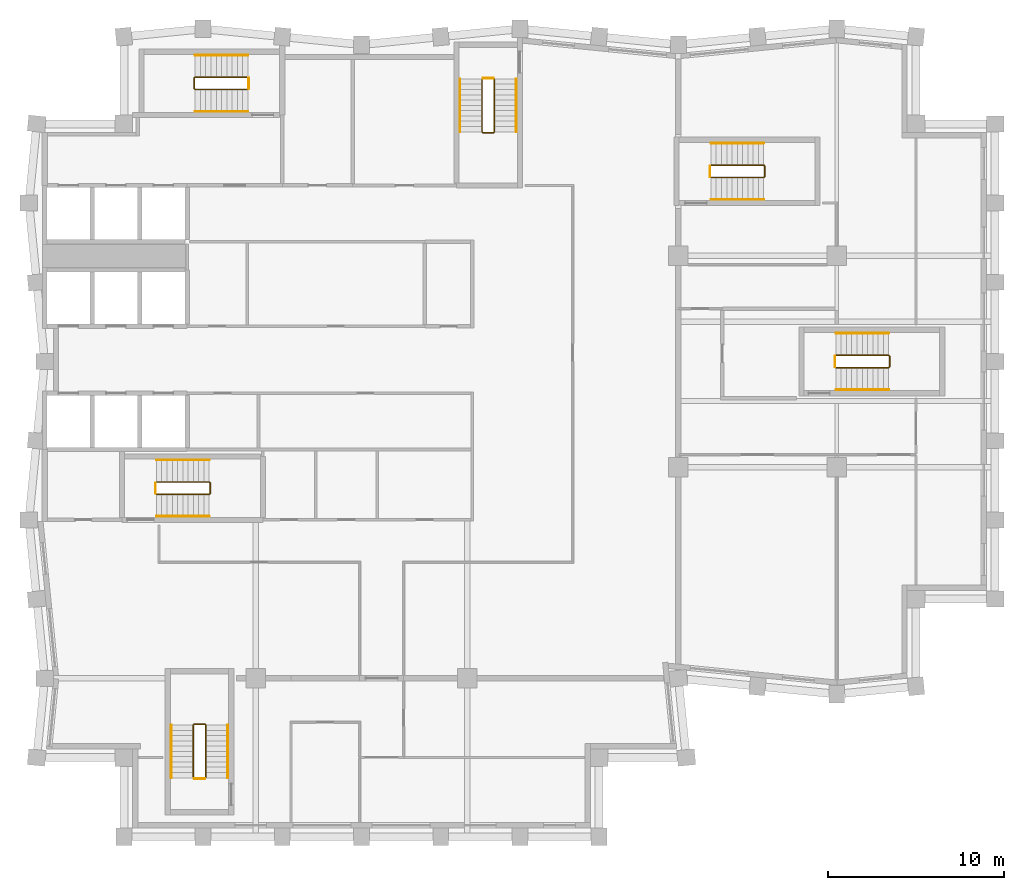
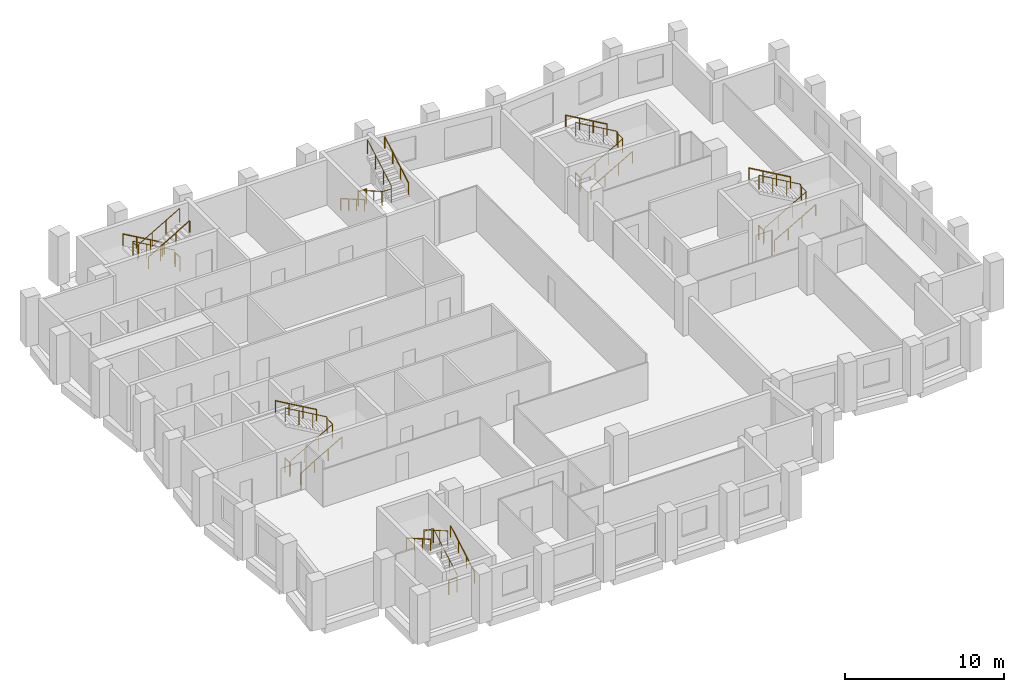
# One storey, part 7 of 7: 24 railings.
"""IFC4 building model written with IfcOpenShell, lengths in metres."""

from ifc_helpers import new_model, si_unit, direction, frame, origin, origin_2d, place, context, subcontext, project, spatial, circle, extrude, material, type_object, element, save


model = new_model("IFC4")

# Units and contexts
model_context = context("Model", 3, precision=1e-05, world=origin(), true_north=direction((0.0, 1.0)))
body_context = subcontext(model_context, "Body", "Model", "MODEL_VIEW")
ifc_project = project(units=[si_unit("LENGTHUNIT", "METRE"), si_unit("AREAUNIT", "SQUARE_METRE"), si_unit("VOLUMEUNIT", "CUBIC_METRE"), si_unit("PLANEANGLEUNIT", "RADIAN"), si_unit("MASSUNIT", "GRAM", prefix="KILO")], contexts=[model_context])

# Site, building, storey
site_placement = place(None, origin())
site = spatial("IfcSite", under=ifc_project, at=site_placement, CompositionType="ELEMENT")
building_placement = place(site_placement, origin())
building = spatial("IfcBuilding", under=site, at=building_placement, Name="Brondeck Convention Tower", CompositionType="ELEMENT")
storey_placement = place(building_placement, frame((0.0, 0.0, 206.39990234375)))
storey = spatial("IfcBuildingStorey", under=building, at=storey_placement, Name="L50", CompositionType="ELEMENT", Elevation=206.39990234375)

# Railings
ifc_material = material(Name="Steel S355", Category="steel")
railing_type_1 = type_object("IfcRailingType", Name="Stair guard 1100", PredefinedType="GUARDRAIL", material=ifc_material)
railing_1_placement = place(storey_placement, frame((6.35009765625, 37.449951171875, 0.1728515625)))
element("IfcRailing", 1, at=railing_1_placement, inside=storey, type_object=railing_type_1, Name="L50 ST-1 stair guard 1", PredefinedType="GUARDRAIL", context=body_context, shape_type="SweptSolid", body=[
    extrude(circle(Radius=0.02392578125, at=origin_2d()), frame((0.0, 0.0, 1.076171875), z_axis=(0.866619684472, 0.0, 0.498969260062), x_axis=(0.0, 1.0, 0.0)), (0.0, 0.0, 1.0), 3.461669921875),
    extrude(circle(Radius=0.02392578125, at=origin_2d()), frame((3.0, 0.0, 2.80322265625), z_axis=(0.705375805398, 0.708833529934, 0.0), x_axis=(-0.708833529934, 0.705375805398, 0.0)), (0.0, 0.0, 1.0), 0.070556640625),
    extrude(circle(Radius=0.02392578125, at=origin_2d()), frame((3.0498046875, 0.050048828125, 2.80322265625), z_axis=(0.0, 1.0, 0.0), x_axis=(-1.0, 0.0, 0.0)), (0.0, 0.0, 1.0), 0.60009765625),
    extrude(circle(Radius=0.02392578125, at=origin_2d()), frame((3.0498046875, 0.650146484375, 2.80322265625), z_axis=(-0.26715648603, 0.26715648603, 0.925880566782), x_axis=(-0.707106781187, -0.707106781187, 0.0)), (0.0, 0.0, 1.0), 0.1865234375),
    extrude(circle(Radius=0.02392578125, at=origin_2d()), frame((3.0, 0.699951171875, 2.97607421875), z_axis=(-0.866619684472, 0.0, 0.498969260062), x_axis=(0.0, -1.0, 0.0)), (0.0, 0.0, 1.0), 3.461669921875),
    extrude(circle(Radius=0.02099609375, at=origin_2d()), origin(), (0.0, 0.0, 1.0), 1.052001953125),
    extrude(circle(Radius=0.02099609375, at=origin_2d()), frame((1.0, 0.0, 0.57568359375)), (0.0, 0.0, 1.0), 1.052001953125),
    extrude(circle(Radius=0.02099609375, at=origin_2d()), frame((2.0, 0.0, 1.151611328125)), (0.0, 0.0, 1.0), 1.052001953125),
    extrude(circle(Radius=0.02099609375, at=origin_2d()), frame((3.0, 0.0, 1.727294921875)), (0.0, 0.0, 1.0), 1.052001953125),
    extrude(circle(Radius=0.02099609375, at=origin_2d()), frame((3.0498046875, 0.050048828125, 1.727294921875)), (0.0, 0.0, 1.0), 1.052001953125),
    extrude(circle(Radius=0.02099609375, at=origin_2d()), frame((3.0498046875, 0.650146484375, 1.727294921875)), (0.0, 0.0, 1.0), 1.052001953125),
    extrude(circle(Radius=0.02099609375, at=origin_2d()), frame((3.0, 0.699951171875, 1.89990234375)), (0.0, 0.0, 1.0), 1.052001953125),
    extrude(circle(Radius=0.02099609375, at=origin_2d()), frame((2.0, 0.699951171875, 2.4755859375)), (0.0, 0.0, 1.0), 1.052001953125),
    extrude(circle(Radius=0.02099609375, at=origin_2d()), frame((1.0, 0.699951171875, 3.051513671875)), (0.0, 0.0, 1.0), 1.052001953125),
    extrude(circle(Radius=0.02099609375, at=origin_2d()), frame((0.0, 0.699951171875, 3.627197265625)), (0.0, 0.0, 1.0), 1.052001953125),
])
railing_2_placement = place(storey_placement, frame((6.300048828125, 37.5, 0.0)))
element("IfcRailing", 2, at=railing_2_placement, inside=storey, type_object=railing_type_1, Name="L50 ST-1 stair guard 2", PredefinedType="GUARDRAIL", context=body_context, shape_type="SweptSolid", body=[
    extrude(circle(Radius=0.02392578125, at=origin_2d()), frame((0.0, 0.0, 1.076171875), z_axis=(0.0, 1.0, 0.0), x_axis=(-1.0, 0.0, 0.0)), (0.0, 0.0, 1.0), 0.60009765625),
    extrude(circle(Radius=0.02099609375, at=origin_2d()), origin(), (0.0, 0.0, 1.0), 1.052001953125),
    extrude(circle(Radius=0.02099609375, at=origin_2d()), frame((0.0, 0.60009765625, 0.0)), (0.0, 0.0, 1.0), 1.052001953125),
])
railing_3_placement = place(storey_placement, frame((24.85009765625, 61.050048828125, 0.1728515625)))
element("IfcRailing", 3, at=railing_3_placement, inside=storey, type_object=railing_type_1, Name="L50 ST-2 stair guard 1", PredefinedType="GUARDRAIL", context=body_context, shape_type="SweptSolid", body=[
    extrude(circle(Radius=0.02392578125, at=origin_2d()), frame((0.0, 0.0, 1.076171875), z_axis=(0.0, -0.866619684472, 0.498969260062), x_axis=(1.0, 0.0, 0.0)), (0.0, 0.0, 1.0), 3.461669921875),
    extrude(circle(Radius=0.02392578125, at=origin_2d()), frame((0.0, -3.0, 2.80322265625), z_axis=(0.705375805398, -0.708833529934, 0.0), x_axis=(0.708833529934, 0.705375805398, 0.0)), (0.0, 0.0, 1.0), 0.070556640625),
    extrude(circle(Radius=0.02392578125, at=origin_2d()), frame((0.0498046875, -3.050048828125, 2.80322265625), z_axis=(1.0, 0.0, 0.0), x_axis=(0.0, 1.0, 0.0)), (0.0, 0.0, 1.0), 0.60009765625),
    extrude(circle(Radius=0.02392578125, at=origin_2d()), frame((0.64990234375, -3.050048828125, 2.80322265625), z_axis=(0.268277960024, 0.268277960024, 0.925231793839), x_axis=(-0.707106781187, 0.707106781187, 0.0)), (0.0, 0.0, 1.0), 0.1865234375),
    extrude(circle(Radius=0.02392578125, at=origin_2d()), frame((0.699951171875, -3.0, 2.97607421875), z_axis=(0.0, 0.866619684472, 0.498969260062), x_axis=(-1.0, 0.0, 0.0)), (0.0, 0.0, 1.0), 3.461669921875),
    extrude(circle(Radius=0.02099609375, at=origin_2d()), origin(), (0.0, 0.0, 1.0), 1.052001953125),
    extrude(circle(Radius=0.02099609375, at=origin_2d()), frame((0.0, -1.0, 0.57568359375)), (0.0, 0.0, 1.0), 1.052001953125),
    extrude(circle(Radius=0.02099609375, at=origin_2d()), frame((0.0, -2.0, 1.151611328125)), (0.0, 0.0, 1.0), 1.052001953125),
    extrude(circle(Radius=0.02099609375, at=origin_2d()), frame((0.0, -3.0, 1.727294921875)), (0.0, 0.0, 1.0), 1.052001953125),
    extrude(circle(Radius=0.02099609375, at=origin_2d()), frame((0.0498046875, -3.050048828125, 1.727294921875)), (0.0, 0.0, 1.0), 1.052001953125),
    extrude(circle(Radius=0.02099609375, at=origin_2d()), frame((0.64990234375, -3.050048828125, 1.727294921875)), (0.0, 0.0, 1.0), 1.052001953125),
    extrude(circle(Radius=0.02099609375, at=origin_2d()), frame((0.699951171875, -3.0, 1.89990234375)), (0.0, 0.0, 1.0), 1.052001953125),
    extrude(circle(Radius=0.02099609375, at=origin_2d()), frame((0.699951171875, -2.0, 2.4755859375)), (0.0, 0.0, 1.0), 1.052001953125),
    extrude(circle(Radius=0.02099609375, at=origin_2d()), frame((0.699951171875, -1.0, 3.051513671875)), (0.0, 0.0, 1.0), 1.052001953125),
    extrude(circle(Radius=0.02099609375, at=origin_2d()), frame((0.699951171875, 0.0, 3.627197265625)), (0.0, 0.0, 1.0), 1.052001953125),
])
railing_4_placement = place(storey_placement, frame((24.89990234375, 61.10009765625, 0.0)))
element("IfcRailing", 4, at=railing_4_placement, inside=storey, type_object=railing_type_1, Name="L50 ST-2 stair guard 2", PredefinedType="GUARDRAIL", context=body_context, shape_type="SweptSolid", body=[
    extrude(circle(Radius=0.02392578125, at=origin_2d()), frame((0.0, 0.0, 1.076171875), z_axis=(1.0, 0.0, 0.0), x_axis=(0.0, 1.0, 0.0)), (0.0, 0.0, 1.0), 0.60009765625),
    extrude(circle(Radius=0.02099609375, at=origin_2d()), origin(), (0.0, 0.0, 1.0), 1.052001953125),
    extrude(circle(Radius=0.02099609375, at=origin_2d()), frame((0.60009765625, 0.0, 0.0)), (0.0, 0.0, 1.0), 1.052001953125),
])
railing_5_placement = place(storey_placement, frame((11.550048828125, 61.14990234375, 0.1728515625)))
element("IfcRailing", 5, at=railing_5_placement, inside=storey, type_object=railing_type_1, Name="L50 ST-3 stair guard 1", PredefinedType="GUARDRAIL", context=body_context, shape_type="SweptSolid", body=[
    extrude(circle(Radius=0.02392578125, at=origin_2d()), frame((0.0, 0.0, 1.076171875), z_axis=(-0.866619684472, 0.0, 0.498969260062), x_axis=(0.0, -1.0, 0.0)), (0.0, 0.0, 1.0), 3.461669921875),
    extrude(circle(Radius=0.02392578125, at=origin_2d()), frame((-3.0, 0.0, 2.80322265625), z_axis=(-0.708833529934, -0.705375805398, 0.0), x_axis=(0.705375805398, -0.708833529934, 0.0)), (0.0, 0.0, 1.0), 0.070556640625),
    extrude(circle(Radius=0.02392578125, at=origin_2d()), frame((-3.050048828125, -0.0498046875, 2.80322265625), z_axis=(0.0, -1.0, 0.0), x_axis=(1.0, 0.0, 0.0)), (0.0, 0.0, 1.0), 0.60009765625),
    extrude(circle(Radius=0.02392578125, at=origin_2d()), frame((-3.050048828125, -0.64990234375, 2.80322265625), z_axis=(0.268277960024, -0.268277960024, 0.925231793839), x_axis=(0.707106781187, 0.707106781187, 0.0)), (0.0, 0.0, 1.0), 0.1865234375),
    extrude(circle(Radius=0.02392578125, at=origin_2d()), frame((-3.0, -0.699951171875, 2.97607421875), z_axis=(0.866619684472, 0.0, 0.498969260062), x_axis=(0.0, 1.0, 0.0)), (0.0, 0.0, 1.0), 3.461669921875),
    extrude(circle(Radius=0.02099609375, at=origin_2d()), origin(), (0.0, 0.0, 1.0), 1.052001953125),
    extrude(circle(Radius=0.02099609375, at=origin_2d()), frame((-1.0, 0.0, 0.57568359375)), (0.0, 0.0, 1.0), 1.052001953125),
    extrude(circle(Radius=0.02099609375, at=origin_2d()), frame((-2.0, 0.0, 1.151611328125)), (0.0, 0.0, 1.0), 1.052001953125),
    extrude(circle(Radius=0.02099609375, at=origin_2d()), frame((-3.0, 0.0, 1.727294921875)), (0.0, 0.0, 1.0), 1.052001953125),
    extrude(circle(Radius=0.02099609375, at=origin_2d()), frame((-3.050048828125, -0.0498046875, 1.727294921875)), (0.0, 0.0, 1.0), 1.052001953125),
    extrude(circle(Radius=0.02099609375, at=origin_2d()), frame((-3.050048828125, -0.64990234375, 1.727294921875)), (0.0, 0.0, 1.0), 1.052001953125),
    extrude(circle(Radius=0.02099609375, at=origin_2d()), frame((-3.0, -0.699951171875, 1.89990234375)), (0.0, 0.0, 1.0), 1.052001953125),
    extrude(circle(Radius=0.02099609375, at=origin_2d()), frame((-2.0, -0.699951171875, 2.4755859375)), (0.0, 0.0, 1.0), 1.052001953125),
    extrude(circle(Radius=0.02099609375, at=origin_2d()), frame((-1.0, -0.699951171875, 3.051513671875)), (0.0, 0.0, 1.0), 1.052001953125),
    extrude(circle(Radius=0.02099609375, at=origin_2d()), frame((0.0, -0.699951171875, 3.627197265625)), (0.0, 0.0, 1.0), 1.052001953125),
])
railing_6_placement = place(storey_placement, frame((11.60009765625, 61.10009765625, 0.0)))
element("IfcRailing", 6, at=railing_6_placement, inside=storey, type_object=railing_type_1, Name="L50 ST-3 stair guard 2", PredefinedType="GUARDRAIL", context=body_context, shape_type="SweptSolid", body=[
    extrude(circle(Radius=0.02392578125, at=origin_2d()), frame((0.0, 0.0, 1.076171875), z_axis=(0.0, -1.0, 0.0), x_axis=(1.0, 0.0, 0.0)), (0.0, 0.0, 1.0), 0.60009765625),
    extrude(circle(Radius=0.02099609375, at=origin_2d()), origin(), (0.0, 0.0, 1.0), 1.052001953125),
    extrude(circle(Radius=0.02099609375, at=origin_2d()), frame((0.0, -0.60009765625, 0.0)), (0.0, 0.0, 1.0), 1.052001953125),
])
railing_7_placement = place(storey_placement, frame((37.85009765625, 55.449951171875, 0.1728515625)))
element("IfcRailing", 7, at=railing_7_placement, inside=storey, type_object=railing_type_1, Name="L50 ST-AE stair guard 1", PredefinedType="GUARDRAIL", context=body_context, shape_type="SweptSolid", body=[
    extrude(circle(Radius=0.02392578125, at=origin_2d()), frame((0.0, 0.0, 1.076171875), z_axis=(0.866619684472, 0.0, 0.498969260062), x_axis=(0.0, 1.0, 0.0)), (0.0, 0.0, 1.0), 3.461669921875),
    extrude(circle(Radius=0.02392578125, at=origin_2d()), frame((3.0, 0.0, 2.80322265625), z_axis=(0.705375805398, 0.708833529934, 0.0), x_axis=(-0.708833529934, 0.705375805398, 0.0)), (0.0, 0.0, 1.0), 0.070556640625),
    extrude(circle(Radius=0.02392578125, at=origin_2d()), frame((3.0498046875, 0.050048828125, 2.80322265625), z_axis=(0.0, 1.0, 0.0), x_axis=(-1.0, 0.0, 0.0)), (0.0, 0.0, 1.0), 0.60009765625),
    extrude(circle(Radius=0.02392578125, at=origin_2d()), frame((3.0498046875, 0.650146484375, 2.80322265625), z_axis=(-0.26715648603, 0.26715648603, 0.925880566782), x_axis=(-0.707106781187, -0.707106781187, 0.0)), (0.0, 0.0, 1.0), 0.1865234375),
    extrude(circle(Radius=0.02392578125, at=origin_2d()), frame((3.0, 0.699951171875, 2.97607421875), z_axis=(-0.866619684472, 0.0, 0.498969260062), x_axis=(0.0, -1.0, 0.0)), (0.0, 0.0, 1.0), 3.461669921875),
    extrude(circle(Radius=0.02099609375, at=origin_2d()), origin(), (0.0, 0.0, 1.0), 1.052001953125),
    extrude(circle(Radius=0.02099609375, at=origin_2d()), frame((1.0, 0.0, 0.57568359375)), (0.0, 0.0, 1.0), 1.052001953125),
    extrude(circle(Radius=0.02099609375, at=origin_2d()), frame((2.0, 0.0, 1.151611328125)), (0.0, 0.0, 1.0), 1.052001953125),
    extrude(circle(Radius=0.02099609375, at=origin_2d()), frame((3.0, 0.0, 1.727294921875)), (0.0, 0.0, 1.0), 1.052001953125),
    extrude(circle(Radius=0.02099609375, at=origin_2d()), frame((3.0498046875, 0.050048828125, 1.727294921875)), (0.0, 0.0, 1.0), 1.052001953125),
    extrude(circle(Radius=0.02099609375, at=origin_2d()), frame((3.0498046875, 0.650146484375, 1.727294921875)), (0.0, 0.0, 1.0), 1.052001953125),
    extrude(circle(Radius=0.02099609375, at=origin_2d()), frame((3.0, 0.699951171875, 1.89990234375)), (0.0, 0.0, 1.0), 1.052001953125),
    extrude(circle(Radius=0.02099609375, at=origin_2d()), frame((2.0, 0.699951171875, 2.4755859375)), (0.0, 0.0, 1.0), 1.052001953125),
    extrude(circle(Radius=0.02099609375, at=origin_2d()), frame((1.0, 0.699951171875, 3.051513671875)), (0.0, 0.0, 1.0), 1.052001953125),
    extrude(circle(Radius=0.02099609375, at=origin_2d()), frame((0.0, 0.699951171875, 3.627197265625)), (0.0, 0.0, 1.0), 1.052001953125),
])
railing_8_placement = place(storey_placement, frame((37.800048828125, 55.5, 0.0)))
element("IfcRailing", 8, at=railing_8_placement, inside=storey, type_object=railing_type_1, Name="L50 ST-AE stair guard 2", PredefinedType="GUARDRAIL", context=body_context, shape_type="SweptSolid", body=[
    extrude(circle(Radius=0.02392578125, at=origin_2d()), frame((0.0, 0.0, 1.076171875), z_axis=(0.0, 1.0, 0.0), x_axis=(-1.0, 0.0, 0.0)), (0.0, 0.0, 1.0), 0.60009765625),
    extrude(circle(Radius=0.02099609375, at=origin_2d()), origin(), (0.0, 0.0, 1.0), 1.052001953125),
    extrude(circle(Radius=0.02099609375, at=origin_2d()), frame((0.0, 0.60009765625, 0.0)), (0.0, 0.0, 1.0), 1.052001953125),
])
railing_9_placement = place(storey_placement, frame((9.14990234375, 21.35009765625, 0.1728515625)))
element("IfcRailing", 9, at=railing_9_placement, inside=storey, type_object=railing_type_1, Name="L50 ST-BE stair guard 1", PredefinedType="GUARDRAIL", context=body_context, shape_type="SweptSolid", body=[
    extrude(circle(Radius=0.02392578125, at=origin_2d()), frame((0.0, 0.0, 1.076171875), z_axis=(0.0, 0.866619684472, 0.498969260062), x_axis=(-1.0, 0.0, 0.0)), (0.0, 0.0, 1.0), 3.461669921875),
    extrude(circle(Radius=0.02392578125, at=origin_2d()), frame((0.0, 3.0, 2.80322265625), z_axis=(-0.707106781187, 0.707106781187, 0.0), x_axis=(-0.707106781187, -0.707106781187, 0.0)), (0.0, 0.0, 1.0), 0.0703125),
    extrude(circle(Radius=0.02392578125, at=origin_2d()), frame((-0.0498046875, 3.0498046875, 2.80322265625), z_axis=(-1.0, 0.0, 0.0), x_axis=(0.0, -1.0, 0.0)), (0.0, 0.0, 1.0), 0.60009765625),
    extrude(circle(Radius=0.02392578125, at=origin_2d()), frame((-0.64990234375, 3.0498046875, 2.80322265625), z_axis=(-0.268371968888, -0.267062837333, 0.925556009775), x_axis=(0.705375805398, -0.708833529934, 0.0)), (0.0, 0.0, 1.0), 0.1865234375),
    extrude(circle(Radius=0.02392578125, at=origin_2d()), frame((-0.699951171875, 3.0, 2.97607421875), z_axis=(0.0, -0.866619684472, 0.498969260062), x_axis=(1.0, 0.0, 0.0)), (0.0, 0.0, 1.0), 3.461669921875),
    extrude(circle(Radius=0.02099609375, at=origin_2d()), origin(), (0.0, 0.0, 1.0), 1.052001953125),
    extrude(circle(Radius=0.02099609375, at=origin_2d()), frame((0.0, 1.0, 0.57568359375)), (0.0, 0.0, 1.0), 1.052001953125),
    extrude(circle(Radius=0.02099609375, at=origin_2d()), frame((0.0, 2.0, 1.151611328125)), (0.0, 0.0, 1.0), 1.052001953125),
    extrude(circle(Radius=0.02099609375, at=origin_2d()), frame((0.0, 3.0, 1.727294921875)), (0.0, 0.0, 1.0), 1.052001953125),
    extrude(circle(Radius=0.02099609375, at=origin_2d()), frame((-0.0498046875, 3.0498046875, 1.727294921875)), (0.0, 0.0, 1.0), 1.052001953125),
    extrude(circle(Radius=0.02099609375, at=origin_2d()), frame((-0.64990234375, 3.0498046875, 1.727294921875)), (0.0, 0.0, 1.0), 1.052001953125),
    extrude(circle(Radius=0.02099609375, at=origin_2d()), frame((-0.699951171875, 3.0, 1.89990234375)), (0.0, 0.0, 1.0), 1.052001953125),
    extrude(circle(Radius=0.02099609375, at=origin_2d()), frame((-0.699951171875, 2.0, 2.4755859375)), (0.0, 0.0, 1.0), 1.052001953125),
    extrude(circle(Radius=0.02099609375, at=origin_2d()), frame((-0.699951171875, 1.0, 3.051513671875)), (0.0, 0.0, 1.0), 1.052001953125),
    extrude(circle(Radius=0.02099609375, at=origin_2d()), frame((-0.699951171875, 0.0, 3.627197265625)), (0.0, 0.0, 1.0), 1.052001953125),
])
railing_10_placement = place(storey_placement, frame((9.10009765625, 21.300048828125, 0.0)))
element("IfcRailing", 10, at=railing_10_placement, inside=storey, type_object=railing_type_1, Name="L50 ST-BE stair guard 2", PredefinedType="GUARDRAIL", context=body_context, shape_type="SweptSolid", body=[
    extrude(circle(Radius=0.02392578125, at=origin_2d()), frame((0.0, 0.0, 1.076171875), z_axis=(-1.0, 0.0, 0.0), x_axis=(0.0, -1.0, 0.0)), (0.0, 0.0, 1.0), 0.60009765625),
    extrude(circle(Radius=0.02099609375, at=origin_2d()), origin(), (0.0, 0.0, 1.0), 1.052001953125),
    extrude(circle(Radius=0.02099609375, at=origin_2d()), frame((-0.60009765625, 0.0, 0.0)), (0.0, 0.0, 1.0), 1.052001953125),
])
railing_11_placement = place(storey_placement, frame((44.949951171875, 44.64990234375, 0.1728515625)))
element("IfcRailing", 11, at=railing_11_placement, inside=storey, type_object=railing_type_1, Name="L50 ST-AF stair guard 1", PredefinedType="GUARDRAIL", context=body_context, shape_type="SweptSolid", body=[
    extrude(circle(Radius=0.02392578125, at=origin_2d()), frame((0.0, 0.0, 1.076171875), z_axis=(0.866619684472, 0.0, 0.498969260062), x_axis=(0.0, 1.0, 0.0)), (0.0, 0.0, 1.0), 3.461669921875),
    extrude(circle(Radius=0.02392578125, at=origin_2d()), frame((3.0, 0.0, 2.80322265625), z_axis=(0.707106781187, 0.707106781187, 0.0), x_axis=(-0.707106781187, 0.707106781187, 0.0)), (0.0, 0.0, 1.0), 0.07080078125),
    extrude(circle(Radius=0.02392578125, at=origin_2d()), frame((3.050048828125, 0.050048828125, 2.80322265625), z_axis=(0.0, 1.0, 0.0), x_axis=(-1.0, 0.0, 0.0)), (0.0, 0.0, 1.0), 0.60009765625),
    extrude(circle(Radius=0.02392578125, at=origin_2d()), frame((3.050048828125, 0.650146484375, 2.80322265625), z_axis=(-0.268277960024, 0.268277960024, 0.925231793839), x_axis=(-0.707106781187, -0.707106781187, 0.0)), (0.0, 0.0, 1.0), 0.1865234375),
    extrude(circle(Radius=0.02392578125, at=origin_2d()), frame((3.0, 0.7001953125, 2.97607421875), z_axis=(-0.866619684472, 0.0, 0.498969260062), x_axis=(0.0, -1.0, 0.0)), (0.0, 0.0, 1.0), 3.461669921875),
    extrude(circle(Radius=0.02099609375, at=origin_2d()), origin(), (0.0, 0.0, 1.0), 1.052001953125),
    extrude(circle(Radius=0.02099609375, at=origin_2d()), frame((1.0, 0.0, 0.57568359375)), (0.0, 0.0, 1.0), 1.052001953125),
    extrude(circle(Radius=0.02099609375, at=origin_2d()), frame((2.0, 0.0, 1.151611328125)), (0.0, 0.0, 1.0), 1.052001953125),
    extrude(circle(Radius=0.02099609375, at=origin_2d()), frame((3.0, 0.0, 1.727294921875)), (0.0, 0.0, 1.0), 1.052001953125),
    extrude(circle(Radius=0.02099609375, at=origin_2d()), frame((3.050048828125, 0.050048828125, 1.727294921875)), (0.0, 0.0, 1.0), 1.052001953125),
    extrude(circle(Radius=0.02099609375, at=origin_2d()), frame((3.050048828125, 0.650146484375, 1.727294921875)), (0.0, 0.0, 1.0), 1.052001953125),
    extrude(circle(Radius=0.02099609375, at=origin_2d()), frame((3.0, 0.7001953125, 1.89990234375)), (0.0, 0.0, 1.0), 1.052001953125),
    extrude(circle(Radius=0.02099609375, at=origin_2d()), frame((2.0, 0.7001953125, 2.4755859375)), (0.0, 0.0, 1.0), 1.052001953125),
    extrude(circle(Radius=0.02099609375, at=origin_2d()), frame((1.0, 0.7001953125, 3.051513671875)), (0.0, 0.0, 1.0), 1.052001953125),
    extrude(circle(Radius=0.02099609375, at=origin_2d()), frame((0.0, 0.7001953125, 3.627197265625)), (0.0, 0.0, 1.0), 1.052001953125),
])
railing_12_placement = place(storey_placement, frame((44.89990234375, 44.699951171875, 0.0)))
element("IfcRailing", 12, at=railing_12_placement, inside=storey, type_object=railing_type_1, Name="L50 ST-AF stair guard 2", PredefinedType="GUARDRAIL", context=body_context, shape_type="SweptSolid", body=[
    extrude(circle(Radius=0.02392578125, at=origin_2d()), frame((0.0, 0.0, 1.076171875), z_axis=(0.0, 1.0, 0.0), x_axis=(-1.0, 0.0, 0.0)), (0.0, 0.0, 1.0), 0.60009765625),
    extrude(circle(Radius=0.02099609375, at=origin_2d()), origin(), (0.0, 0.0, 1.0), 1.052001953125),
    extrude(circle(Radius=0.02099609375, at=origin_2d()), frame((0.0, 0.60009765625, 0.0)), (0.0, 0.0, 1.0), 1.052001953125),
])
railing_type_2 = type_object("IfcRailingType", Name="Stair handrail", PredefinedType="HANDRAIL", material=ifc_material)
railing_13_placement = place(storey_placement, frame((6.35009765625, 36.199951171875, 0.1728515625)))
element("IfcRailing", 13, at=railing_13_placement, inside=storey, type_object=railing_type_2, Name="L50 ST-1 stair handrail 1", PredefinedType="HANDRAIL", context=body_context, shape_type="SweptSolid", body=[
    extrude(circle(Radius=0.02392578125, at=origin_2d()), frame((0.0, 0.0, 0.8759765625), z_axis=(0.866619684472, 0.0, 0.498969260062), x_axis=(0.0, 1.0, 0.0)), (0.0, 0.0, 1.0), 3.461669921875),
    extrude(circle(Radius=0.02099609375, at=origin_2d()), origin(), (0.0, 0.0, 1.0), 0.851806640625),
    extrude(circle(Radius=0.02099609375, at=origin_2d()), frame((1.0, 0.0, 0.57568359375)), (0.0, 0.0, 1.0), 0.851806640625),
    extrude(circle(Radius=0.02099609375, at=origin_2d()), frame((2.0, 0.0, 1.151611328125)), (0.0, 0.0, 1.0), 0.851806640625),
    extrude(circle(Radius=0.02099609375, at=origin_2d()), frame((3.0, 0.0, 1.727294921875)), (0.0, 0.0, 1.0), 0.851806640625),
])
railing_14_placement = place(storey_placement, frame((9.35009765625, 39.39990234375, 2.07275390625)))
element("IfcRailing", 14, at=railing_14_placement, inside=storey, type_object=railing_type_2, Name="L50 ST-1 stair handrail 2", PredefinedType="HANDRAIL", context=body_context, shape_type="SweptSolid", body=[
    extrude(circle(Radius=0.02392578125, at=origin_2d()), frame((0.0, 0.0, 0.8759765625), z_axis=(-0.866619684472, 0.0, 0.498969260062), x_axis=(0.0, -1.0, 0.0)), (0.0, 0.0, 1.0), 3.461669921875),
    extrude(circle(Radius=0.02099609375, at=origin_2d()), origin(), (0.0, 0.0, 1.0), 0.851806640625),
    extrude(circle(Radius=0.02099609375, at=origin_2d()), frame((-1.0, 0.0, 0.57568359375)), (0.0, 0.0, 1.0), 0.851806640625),
    extrude(circle(Radius=0.02099609375, at=origin_2d()), frame((-2.0, 0.0, 1.151611328125)), (0.0, 0.0, 1.0), 0.851806640625),
    extrude(circle(Radius=0.02099609375, at=origin_2d()), frame((-3.0, 0.0, 1.727294921875)), (0.0, 0.0, 1.0), 0.851806640625),
])
railing_15_placement = place(storey_placement, frame((23.60009765625, 61.050048828125, 0.1728515625)))
element("IfcRailing", 15, at=railing_15_placement, inside=storey, type_object=railing_type_2, Name="L50 ST-2 stair handrail 1", PredefinedType="HANDRAIL", context=body_context, shape_type="SweptSolid", body=[
    extrude(circle(Radius=0.02392578125, at=origin_2d()), frame((0.0, 0.0, 0.8759765625), z_axis=(0.0, -0.866619684472, 0.498969260062), x_axis=(1.0, 0.0, 0.0)), (0.0, 0.0, 1.0), 3.461669921875),
    extrude(circle(Radius=0.02099609375, at=origin_2d()), origin(), (0.0, 0.0, 1.0), 0.851806640625),
    extrude(circle(Radius=0.02099609375, at=origin_2d()), frame((0.0, -1.0, 0.57568359375)), (0.0, 0.0, 1.0), 0.851806640625),
    extrude(circle(Radius=0.02099609375, at=origin_2d()), frame((0.0, -2.0, 1.151611328125)), (0.0, 0.0, 1.0), 0.851806640625),
    extrude(circle(Radius=0.02099609375, at=origin_2d()), frame((0.0, -3.0, 1.727294921875)), (0.0, 0.0, 1.0), 0.851806640625),
])
railing_16_placement = place(storey_placement, frame((26.800048828125, 58.050048828125, 2.07275390625)))
element("IfcRailing", 16, at=railing_16_placement, inside=storey, type_object=railing_type_2, Name="L50 ST-2 stair handrail 2", PredefinedType="HANDRAIL", context=body_context, shape_type="SweptSolid", body=[
    extrude(circle(Radius=0.02392578125, at=origin_2d()), frame((0.0, 0.0, 0.8759765625), z_axis=(0.0, 0.866619684472, 0.498969260062), x_axis=(-1.0, 0.0, 0.0)), (0.0, 0.0, 1.0), 3.461669921875),
    extrude(circle(Radius=0.02099609375, at=origin_2d()), origin(), (0.0, 0.0, 1.0), 0.851806640625),
    extrude(circle(Radius=0.02099609375, at=origin_2d()), frame((0.0, 1.0, 0.57568359375)), (0.0, 0.0, 1.0), 0.851806640625),
    extrude(circle(Radius=0.02099609375, at=origin_2d()), frame((0.0, 2.0, 1.151611328125)), (0.0, 0.0, 1.0), 0.851806640625),
    extrude(circle(Radius=0.02099609375, at=origin_2d()), frame((0.0, 3.0, 1.727294921875)), (0.0, 0.0, 1.0), 0.851806640625),
])
railing_17_placement = place(storey_placement, frame((11.550048828125, 62.39990234375, 0.1728515625)))
element("IfcRailing", 17, at=railing_17_placement, inside=storey, type_object=railing_type_2, Name="L50 ST-3 stair handrail 1", PredefinedType="HANDRAIL", context=body_context, shape_type="SweptSolid", body=[
    extrude(circle(Radius=0.02392578125, at=origin_2d()), frame((0.0, 0.0, 0.8759765625), z_axis=(-0.866619684472, 0.0, 0.498969260062), x_axis=(0.0, -1.0, 0.0)), (0.0, 0.0, 1.0), 3.461669921875),
    extrude(circle(Radius=0.02099609375, at=origin_2d()), origin(), (0.0, 0.0, 1.0), 0.851806640625),
    extrude(circle(Radius=0.02099609375, at=origin_2d()), frame((-1.0, 0.0, 0.57568359375)), (0.0, 0.0, 1.0), 0.851806640625),
    extrude(circle(Radius=0.02099609375, at=origin_2d()), frame((-2.0, 0.0, 1.151611328125)), (0.0, 0.0, 1.0), 0.851806640625),
    extrude(circle(Radius=0.02099609375, at=origin_2d()), frame((-3.0, 0.0, 1.727294921875)), (0.0, 0.0, 1.0), 0.851806640625),
])
for number, where, name in (
    (18, (8.550048828125, 59.199951171875, 2.07275390625), "L50 ST-3 stair handrail 2"),
    (19, (37.85009765625, 54.199951171875, 0.1728515625), "L50 ST-AE stair handrail 1"),
):
    element("IfcRailing", number, at=place(storey_placement, frame(where)), inside=storey, type_object=railing_type_2, Name=name, PredefinedType="HANDRAIL", context=body_context, shape_type="SweptSolid", body=[
        extrude(circle(Radius=0.02392578125, at=origin_2d()), frame((0.0, 0.0, 0.8759765625), z_axis=(0.866619684472, 0.0, 0.498969260062), x_axis=(0.0, 1.0, 0.0)), (0.0, 0.0, 1.0), 3.461669921875),
        extrude(circle(Radius=0.02099609375, at=origin_2d()), origin(), (0.0, 0.0, 1.0), 0.851806640625),
        extrude(circle(Radius=0.02099609375, at=origin_2d()), frame((1.0, 0.0, 0.57568359375)), (0.0, 0.0, 1.0), 0.851806640625),
        extrude(circle(Radius=0.02099609375, at=origin_2d()), frame((2.0, 0.0, 1.151611328125)), (0.0, 0.0, 1.0), 0.851806640625),
        extrude(circle(Radius=0.02099609375, at=origin_2d()), frame((3.0, 0.0, 1.727294921875)), (0.0, 0.0, 1.0), 0.851806640625),
    ])
railing_18_placement = place(storey_placement, frame((40.85009765625, 57.39990234375, 2.07275390625)))
element("IfcRailing", 20, at=railing_18_placement, inside=storey, type_object=railing_type_2, Name="L50 ST-AE stair handrail 2", PredefinedType="HANDRAIL", context=body_context, shape_type="SweptSolid", body=[
    extrude(circle(Radius=0.02392578125, at=origin_2d()), frame((0.0, 0.0, 0.8759765625), z_axis=(-0.866619684472, 0.0, 0.498969260062), x_axis=(0.0, -1.0, 0.0)), (0.0, 0.0, 1.0), 3.461669921875),
    extrude(circle(Radius=0.02099609375, at=origin_2d()), origin(), (0.0, 0.0, 1.0), 0.851806640625),
    extrude(circle(Radius=0.02099609375, at=origin_2d()), frame((-1.0, 0.0, 0.57568359375)), (0.0, 0.0, 1.0), 0.851806640625),
    extrude(circle(Radius=0.02099609375, at=origin_2d()), frame((-2.0, 0.0, 1.151611328125)), (0.0, 0.0, 1.0), 0.851806640625),
    extrude(circle(Radius=0.02099609375, at=origin_2d()), frame((-3.0, 0.0, 1.727294921875)), (0.0, 0.0, 1.0), 0.851806640625),
])
railing_19_placement = place(storey_placement, frame((10.39990234375, 21.35009765625, 0.1728515625)))
element("IfcRailing", 21, at=railing_19_placement, inside=storey, type_object=railing_type_2, Name="L50 ST-BE stair handrail 1", PredefinedType="HANDRAIL", context=body_context, shape_type="SweptSolid", body=[
    extrude(circle(Radius=0.02392578125, at=origin_2d()), frame((0.0, 0.0, 0.8759765625), z_axis=(0.0, 0.866619684472, 0.498969260062), x_axis=(-1.0, 0.0, 0.0)), (0.0, 0.0, 1.0), 3.461669921875),
    extrude(circle(Radius=0.02099609375, at=origin_2d()), origin(), (0.0, 0.0, 1.0), 0.851806640625),
    extrude(circle(Radius=0.02099609375, at=origin_2d()), frame((0.0, 1.0, 0.57568359375)), (0.0, 0.0, 1.0), 0.851806640625),
    extrude(circle(Radius=0.02099609375, at=origin_2d()), frame((0.0, 2.0, 1.151611328125)), (0.0, 0.0, 1.0), 0.851806640625),
    extrude(circle(Radius=0.02099609375, at=origin_2d()), frame((0.0, 3.0, 1.727294921875)), (0.0, 0.0, 1.0), 0.851806640625),
])
railing_20_placement = place(storey_placement, frame((7.199951171875, 24.35009765625, 2.07275390625)))
element("IfcRailing", 22, at=railing_20_placement, inside=storey, type_object=railing_type_2, Name="L50 ST-BE stair handrail 2", PredefinedType="HANDRAIL", context=body_context, shape_type="SweptSolid", body=[
    extrude(circle(Radius=0.02392578125, at=origin_2d()), frame((0.0, 0.0, 0.8759765625), z_axis=(0.0, -0.866619684472, 0.498969260062), x_axis=(1.0, 0.0, 0.0)), (0.0, 0.0, 1.0), 3.461669921875),
    extrude(circle(Radius=0.02099609375, at=origin_2d()), origin(), (0.0, 0.0, 1.0), 0.851806640625),
    extrude(circle(Radius=0.02099609375, at=origin_2d()), frame((0.0, -1.0, 0.57568359375)), (0.0, 0.0, 1.0), 0.851806640625),
    extrude(circle(Radius=0.02099609375, at=origin_2d()), frame((0.0, -2.0, 1.151611328125)), (0.0, 0.0, 1.0), 0.851806640625),
    extrude(circle(Radius=0.02099609375, at=origin_2d()), frame((0.0, -3.0, 1.727294921875)), (0.0, 0.0, 1.0), 0.851806640625),
])
railing_21_placement = place(storey_placement, frame((44.949951171875, 43.39990234375, 0.1728515625)))
element("IfcRailing", 23, at=railing_21_placement, inside=storey, type_object=railing_type_2, Name="L50 ST-AF stair handrail 1", PredefinedType="HANDRAIL", context=body_context, shape_type="SweptSolid", body=[
    extrude(circle(Radius=0.02392578125, at=origin_2d()), frame((0.0, 0.0, 0.8759765625), z_axis=(0.866619684472, 0.0, 0.498969260062), x_axis=(0.0, 1.0, 0.0)), (0.0, 0.0, 1.0), 3.461669921875),
    extrude(circle(Radius=0.02099609375, at=origin_2d()), origin(), (0.0, 0.0, 1.0), 0.851806640625),
    extrude(circle(Radius=0.02099609375, at=origin_2d()), frame((1.0, 0.0, 0.57568359375)), (0.0, 0.0, 1.0), 0.851806640625),
    extrude(circle(Radius=0.02099609375, at=origin_2d()), frame((2.0, 0.0, 1.151611328125)), (0.0, 0.0, 1.0), 0.851806640625),
    extrude(circle(Radius=0.02099609375, at=origin_2d()), frame((3.0, 0.0, 1.727294921875)), (0.0, 0.0, 1.0), 0.851806640625),
])
railing_22_placement = place(storey_placement, frame((47.949951171875, 46.60009765625, 2.07275390625)))
element("IfcRailing", 24, at=railing_22_placement, inside=storey, type_object=railing_type_2, Name="L50 ST-AF stair handrail 2", PredefinedType="HANDRAIL", context=body_context, shape_type="SweptSolid", body=[
    extrude(circle(Radius=0.02392578125, at=origin_2d()), frame((0.0, 0.0, 0.8759765625), z_axis=(-0.866619684472, 0.0, 0.498969260062), x_axis=(0.0, -1.0, 0.0)), (0.0, 0.0, 1.0), 3.461669921875),
    extrude(circle(Radius=0.02099609375, at=origin_2d()), origin(), (0.0, 0.0, 1.0), 0.851806640625),
    extrude(circle(Radius=0.02099609375, at=origin_2d()), frame((-1.0, 0.0, 0.57568359375)), (0.0, 0.0, 1.0), 0.851806640625),
    extrude(circle(Radius=0.02099609375, at=origin_2d()), frame((-2.0, 0.0, 1.151611328125)), (0.0, 0.0, 1.0), 0.851806640625),
    extrude(circle(Radius=0.02099609375, at=origin_2d()), frame((-3.0, 0.0, 1.727294921875)), (0.0, 0.0, 1.0), 0.851806640625),
])

save(model, "model.ifc")
